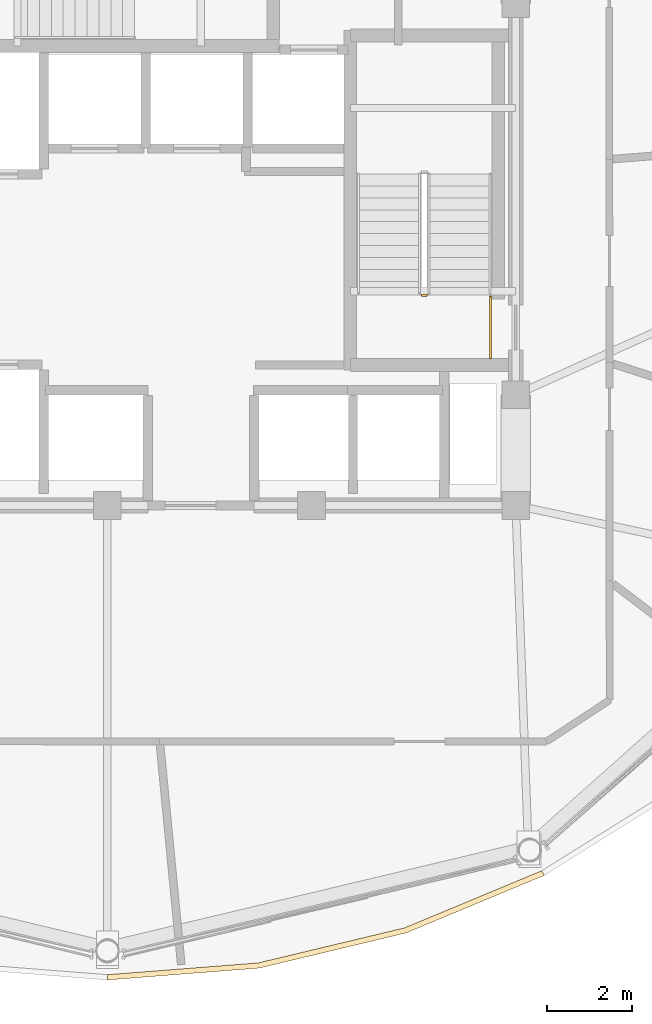
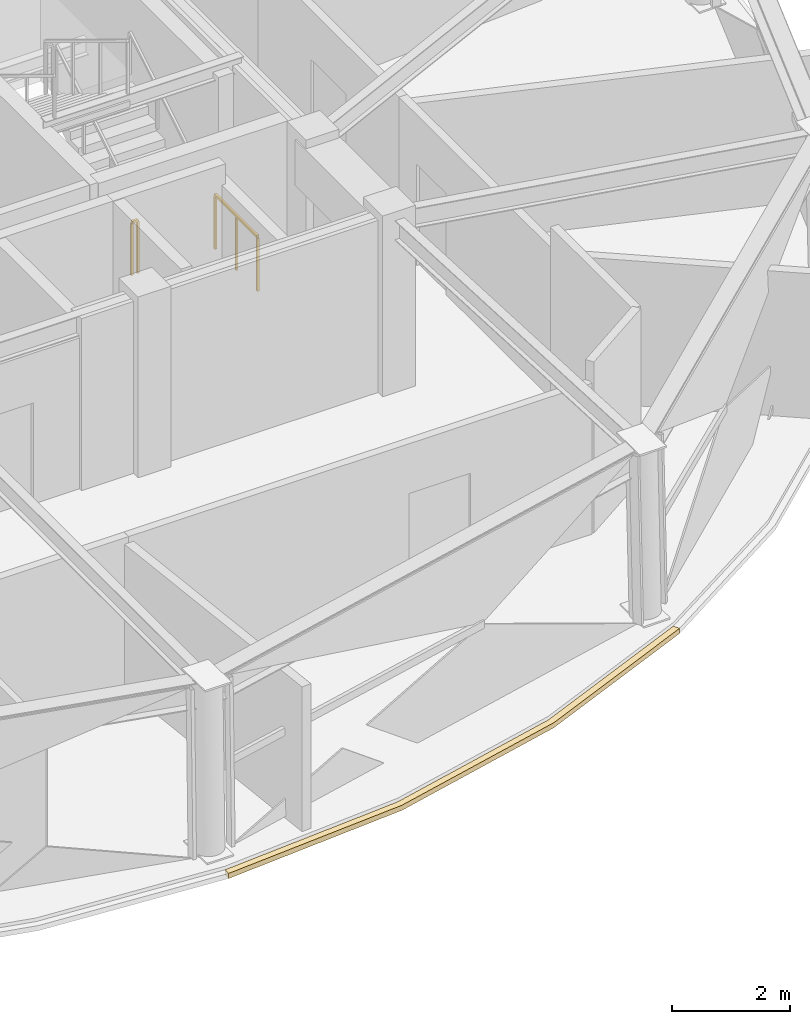
# One storey, part 13 of 15: 2 railings, 1 covering.
"""IFC4 building model written with IfcOpenShell, lengths in metres."""

from ifc_helpers import new_model, si_unit, direction, frame, origin, origin_2d, place, context, subcontext, project, spatial, polyline, rectangle, outline, extrude, material, layer, layer_set, type_object, element, save


model = new_model("IFC4")

# Units and contexts
model_context = context("Model", 3, precision=1e-05, world=origin(), true_north=direction((0.0, 1.0)))
body_context = subcontext(model_context, "Body", "Model", "MODEL_VIEW")
ifc_project = project(units=[si_unit("LENGTHUNIT", "METRE"), si_unit("AREAUNIT", "SQUARE_METRE"), si_unit("VOLUMEUNIT", "CUBIC_METRE"), si_unit("PLANEANGLEUNIT", "RADIAN"), si_unit("MASSUNIT", "GRAM", prefix="KILO")], contexts=[model_context])

# Site, building, storey
site_placement = place(None, origin())
site = spatial("IfcSite", under=ifc_project, at=site_placement, CompositionType="ELEMENT")
building_placement = place(site_placement, origin())
building = spatial("IfcBuilding", under=site, at=building_placement, Name="Vantalir Tower", CompositionType="ELEMENT")
storey_placement = place(building_placement, frame((0.0, 0.0, 263.85009765625)))
storey = spatial("IfcBuildingStorey", under=building, at=storey_placement, Name="L66", CompositionType="ELEMENT", Elevation=263.85009765625)

# Covering
ifc_material_1 = material(Name="Anodised champagne aluminium sill fascia", Category="aluminium")
ifc_layer = layer(ifc_material_1, 0.125)
ifc_layer_set = layer_set([ifc_layer], Name="Anodised champagne aluminium sill fascia")
covering_type = type_object("IfcCoveringType", Name="COV-SLAB-FASCIA-125", PredefinedType="CLADDING", material=ifc_layer_set)
covering_placement = place(storey_placement, frame((0.0, 0.0, -0.18017578125)))
element("IfcCovering", 1, at=covering_placement, inside=storey, type_object=covering_type, Name="L66 Perimeter Slab-Edge Sill Fascia 10", PredefinedType="CLADDING", context=body_context, shape_type="SweptSolid", body=[
    extrude(outline(polyline([(31.5, 6.64306640625), (35.068115234375, 6.922119140625), (38.527099609375, 7.75), (41.77294921875, 9.10205078125), (41.7099609375, 9.2109375), (38.48388671875, 7.867919921875), (35.0458984375, 7.044921875), (31.5, 6.76806640625), (31.5, 6.64306640625)])), origin(), (0.0, 0.0, 1.0), 0.10498046875),
])

# Railings
ifc_material_2 = material(Name="Anodised aluminium and stainless steel guard", Category="steel")
railing_type = type_object("IfcRailingType", Name="RAL-GUARD-1120", PredefinedType="GUARDRAIL", material=ifc_material_2)
railing_1_placement = place(storey_placement, frame((39.010009765625, 22.739990234375, 0.0)))
element("IfcRailing", 2, at=railing_1_placement, inside=storey, type_object=railing_type, Name="L66 ST2 stair guard 4", PredefinedType="GUARDRAIL", context=body_context, shape_type="SweptSolid", body=[
    extrude(rectangle(XDim=0.048095703125, YDim=0.048095703125, at=origin_2d()), frame((0.0, 0.0, 1.09619140625), z_axis=(-1.0, 0.0, 0.0), x_axis=(0.0, -1.0, 0.0)), (0.0, 0.0, 1.0), 0.1201171875),
    extrude(rectangle(XDim=0.0419921875, YDim=0.0419921875, at=origin_2d()), origin(), (0.0, 0.0, 1.0), 1.072021484375),
    extrude(rectangle(XDim=0.0419921875, YDim=0.0419921875, at=origin_2d()), frame((-0.1201171875, 0.0, 0.0)), (0.0, 0.0, 1.0), 1.072021484375),
])
railing_2_placement = place(storey_placement, frame((40.510009765625, 21.260009765625, 0.0)))
element("IfcRailing", 3, at=railing_2_placement, inside=storey, type_object=railing_type, Name="L66 Stair ST2 Doorway Landing Guard", PredefinedType="GUARDRAIL", context=body_context, shape_type="SweptSolid", body=[
    extrude(rectangle(XDim=0.048095703125, YDim=0.048095703125, at=origin_2d()), frame((0.0, 0.0, 1.1259765625), z_axis=(0.0, 1.0, 0.0), x_axis=(-1.0, 0.0, 0.0)), (0.0, 0.0, 1.0), 1.43994140625),
    extrude(rectangle(XDim=0.0419921875, YDim=0.0419921875, at=origin_2d()), origin(), (0.0, 0.0, 1.0), 1.101806640625),
    extrude(rectangle(XDim=0.0419921875, YDim=0.0419921875, at=origin_2d()), frame((0.0, 0.719970703125, 0.0)), (0.0, 0.0, 1.0), 1.101806640625),
    extrude(rectangle(XDim=0.0419921875, YDim=0.0419921875, at=origin_2d()), frame((0.0, 1.43994140625, 0.0)), (0.0, 0.0, 1.0), 1.101806640625),
])

save(model, "model.ifc")
